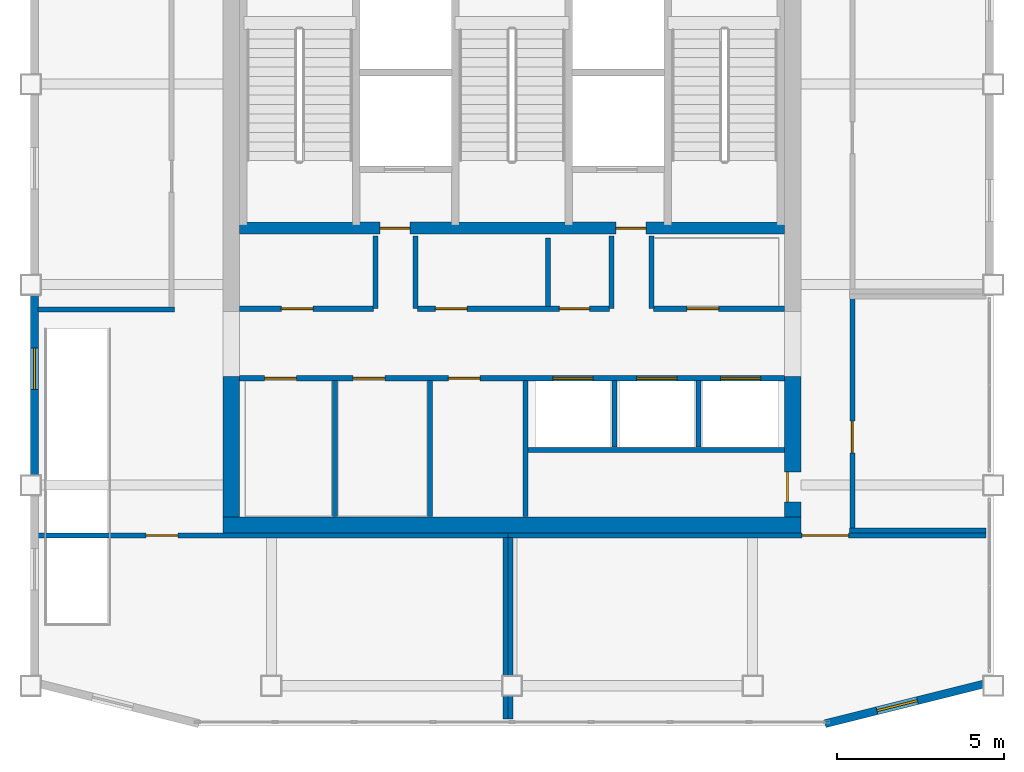
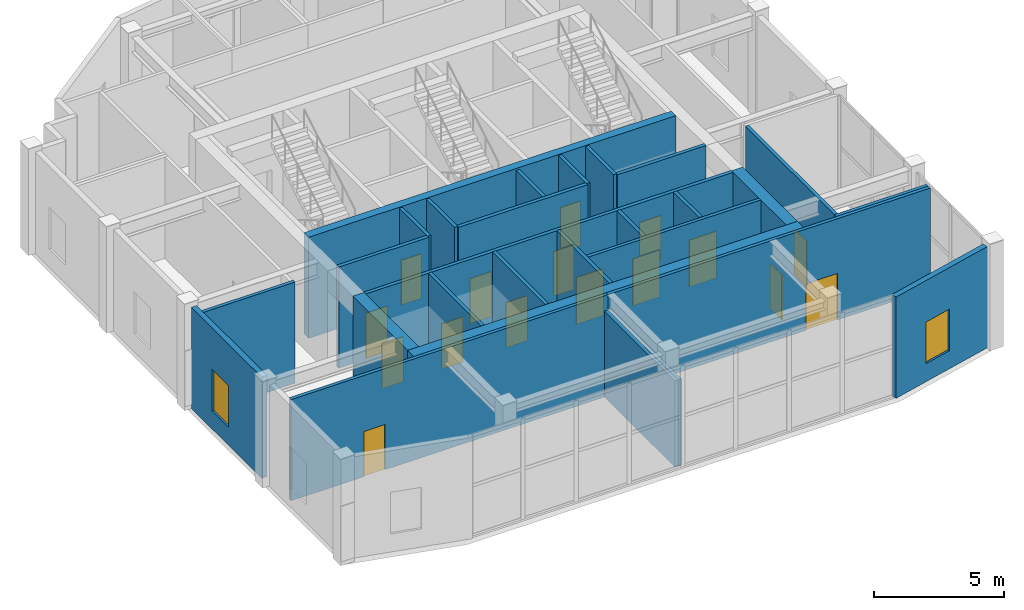
# One storey, part 7 of 11: 28 walls, 16 doors, 2 windows, 18 openings.
"""IFC4 building model written with IfcOpenShell, lengths in metres."""

import ifcopenshell
import ifcopenshell.guid

model = None  # the IFC model being written
_history = None  # IfcOwnerHistory: only IFC2X3 demands one
_inside = {}  # id of a spatial element -> (the spatial element, [elements in it])
_under = {}  # id of a project, library or spatial element -> (it, [spatial elements below it])
_declared = {}  # id of a project -> (the project, [libraries it declares])
_typed = {}  # id of a type object -> (the type object, [elements of that type])
_made_of = {}  # id of a material, layer set ... -> (it, [elements and type objects made of it])


def new_model(schema):
    """Start an empty IFC model of exactly this schema.

    Asked for "IFC4X3", IfcOpenShell would pick the latest addendum, in which some entities
    have other attributes; the version numbers below select the first issue.
    IFC2X3 requires an IfcOwnerHistory on every rooted entity: one is made here for all.
    """
    global model, _history
    if schema == "IFC4X3":
        model = ifcopenshell.file(schema_version=(4, 3, 0, 0))
    else:
        model = ifcopenshell.file(schema=schema)
    _inside.clear()
    _under.clear()
    _declared.clear()
    _typed.clear()
    _made_of.clear()
    _history = None
    if model.schema == "IFC2X3":
        org = make("IfcOrganization", Name="unknown")
        user = make(
            "IfcPersonAndOrganization",
            ThePerson=make("IfcPerson", FamilyName="unknown"),
            TheOrganization=org,
        )
        app = make(
            "IfcApplication",
            ApplicationDeveloper=org,
            Version="unknown",
            ApplicationFullName="unknown",
            ApplicationIdentifier="unknown",
        )
        _history = make(
            "IfcOwnerHistory",
            OwningUser=user,
            OwningApplication=app,
            ChangeAction="ADDED",
            CreationDate=0,
        )
    return model


def make(cls, **values):
    """One entity of the class cls with the attributes given. An attribute that is None is left unset."""
    return model.create_entity(
        cls, **{name: value for name, value in values.items() if value is not None}
    )


def rooted(cls, **values):
    """An entity with a GlobalId (a new one), such as an element, a storey or a relation."""
    return make(cls, GlobalId=ifcopenshell.guid.new(), OwnerHistory=_history, **values)


def si_unit(unit_type, name, prefix=None):
    """IfcSIUnit, for example si_unit("LENGTHUNIT", "METRE", prefix="MILLI")."""
    return make("IfcSIUnit", UnitType=unit_type, Prefix=prefix, Name=name)


def assignment(units):
    """IfcUnitAssignment: the units of a project."""
    return None if units is None else make("IfcUnitAssignment", Units=units)


def point(xyz):
    """IfcCartesianPoint."""
    return None if xyz is None else make("IfcCartesianPoint", Coordinates=xyz)


def direction(xyz):
    """IfcDirection."""
    return None if xyz is None else make("IfcDirection", DirectionRatios=xyz)


def frame(location, z_axis=None, x_axis=None):
    """IfcAxis2Placement3D, a coordinate frame: its origin and axes. An axis left out is left unset."""
    return make(
        "IfcAxis2Placement3D",
        Location=point(location),
        Axis=direction(z_axis),
        RefDirection=direction(x_axis),
    )


def frame_2d(location, x_axis=None):
    """IfcAxis2Placement2D, a coordinate frame in the plane: its origin and x axis."""
    return make(
        "IfcAxis2Placement2D", Location=point(location), RefDirection=direction(x_axis)
    )


def origin():
    """The frame at (0, 0, 0) with its axes left unset."""
    return frame((0.0, 0.0, 0.0))


def place(relative_to, where):
    """IfcLocalPlacement: puts the frame where relative to a parent placement (None: the world)."""
    return make(
        "IfcLocalPlacement", PlacementRelTo=relative_to, RelativePlacement=where
    )


def context(
    kind, dimensions, precision=None, world=None, true_north=None, identifier=None
):
    """IfcGeometricRepresentationContext, for example the 3D "Model" context."""
    return make(
        "IfcGeometricRepresentationContext",
        ContextIdentifier=identifier,
        ContextType=kind,
        CoordinateSpaceDimension=dimensions,
        Precision=precision,
        WorldCoordinateSystem=world,
        TrueNorth=true_north,
    )


def subcontext(parent, identifier, kind, view, scale=None):
    """IfcGeometricRepresentationSubContext, for example "Body" below "Model"."""
    return make(
        "IfcGeometricRepresentationSubContext",
        ContextIdentifier=identifier,
        ContextType=kind,
        ParentContext=parent,
        TargetScale=scale,
        TargetView=view,
    )


def project(units=None, contexts=None):
    """IfcProject with its units and contexts."""
    return rooted(
        "IfcProject",
        Name="project",
        RepresentationContexts=contexts,
        UnitsInContext=assignment(units),
    )


def spatial(cls, under=None, at=None, **own):
    """A site, building, storey or space (cls), placed at a placement, below another one or the project."""
    s = rooted(cls, ObjectPlacement=at, **own)
    if under is not None:
        _under.setdefault(under.id(), (under, []))[1].append(s)
    return s


def profile(cls, at=None, kind="AREA", **sizes):
    """A parametric profile (cls). Its sizes go by their IFC names, for example OverallWidth=200.0."""
    return make(cls, ProfileType=kind, Position=at, **sizes)


def rectangle(**sizes):
    """IfcRectangleProfileDef."""
    return profile("IfcRectangleProfileDef", **sizes)


def extrude(swept, where, along, depth):
    """IfcExtrudedAreaSolid: the profile swept, set in the frame where, extruded along a direction by depth."""
    return make(
        "IfcExtrudedAreaSolid",
        SweptArea=swept,
        Position=where,
        ExtrudedDirection=direction(along),
        Depth=depth,
    )


def shape(context_of_items, identifier, shape_type, items):
    """IfcShapeRepresentation: the items that make up one representation, for example the "Body"."""
    return make(
        "IfcShapeRepresentation",
        ContextOfItems=context_of_items,
        RepresentationIdentifier=identifier,
        RepresentationType=shape_type,
        Items=items,
    )


def material(Name=None, Category=None):
    """IfcMaterial."""
    return make("IfcMaterial", Name=Name, Category=Category)


def layer(
    of_material, thickness, ventilated=None, Name=None, Category=None, Priority=None
):
    """IfcMaterialLayer: one layer of a wall or slab, of a material (None: an air gap)."""
    return make(
        "IfcMaterialLayer",
        Material=of_material,
        LayerThickness=thickness,
        IsVentilated=ventilated,
        Name=Name,
        Category=Category,
        Priority=Priority,
    )


def layer_set(layers, Name=None):
    """IfcMaterialLayerSet."""
    return make("IfcMaterialLayerSet", MaterialLayers=layers, LayerSetName=Name)


def made_of(thing, what):
    """Note that an element or type object is made of a material, layer set ...; save() writes the relation."""
    if what is not None:
        _made_of.setdefault(what.id(), (what, []))[1].append(thing)
    return thing


def type_object(cls, material=None, **own):
    """A type object (cls), such as IfcWallType, which elements share."""
    return made_of(rooted(cls, **own), material)


def element(
    cls,
    number,
    at=None,
    inside=None,
    cuts=None,
    type_object=None,
    material=None,
    context=None,
    identifier="Body",
    shape_type=None,
    held_by="IfcProductDefinitionShape",
    body=None,
    shapes=None,
    **own,
):
    """One element of the class cls, such as IfcWall. Its Tag is "e" and its number.

    at: its placement. inside: the storey or other place that contains it. cuts: it is an
    opening in that element (IfcRelVoidsElement). A single representation is given by context,
    identifier, shape_type and body (its items); several are given by shapes. held_by: the class
    of the entity that holds the representations. save() writes the other relations.
    """
    e = rooted(cls, Tag="e%d" % number, ObjectPlacement=at, **own)
    if body is not None:
        shapes = [shape(context, identifier, shape_type, body)]
    if shapes is not None:
        e.Representation = make(held_by, Representations=shapes)
    if inside is not None:
        _inside.setdefault(inside.id(), (inside, []))[1].append(e)
    if cuts is not None:
        rooted(
            "IfcRelVoidsElement", RelatingBuildingElement=cuts, RelatedOpeningElement=e
        )
    if type_object is not None:
        _typed.setdefault(type_object.id(), (type_object, []))[1].append(e)
    return made_of(e, material)


def fill(opening, filler):
    """IfcRelFillsElement: the door or window that sits in an opening."""
    return rooted(
        "IfcRelFillsElement",
        RelatingOpeningElement=opening,
        RelatedBuildingElement=filler,
    )


def aggregate(whole, parts):
    """IfcRelAggregates: a whole, such as a stair, and the parts it consists of."""
    return rooted("IfcRelAggregates", RelatingObject=whole, RelatedObjects=parts)


def save(model, path):
    """Write the relations noted so far, then the file.

    IfcRelAggregates (storeys below a building ...), IfcRelContainedInSpatialStructure (elements
    in a storey), IfcRelDefinesByType, IfcRelAssociatesMaterial and IfcRelDeclares: one each for
    every whole, place, type object, material and project.
    """
    for whole, parts in _under.values():
        aggregate(whole, parts)
    for where, things in _inside.values():
        rooted(
            "IfcRelContainedInSpatialStructure",
            RelatedElements=things,
            RelatingStructure=where,
        )
    for kind, things in _typed.values():
        rooted("IfcRelDefinesByType", RelatedObjects=things, RelatingType=kind)
    for what, things in _made_of.values():
        rooted("IfcRelAssociatesMaterial", RelatedObjects=things, RelatingMaterial=what)
    for by, libraries in _declared.values():
        rooted("IfcRelDeclares", RelatingContext=by, RelatedDefinitions=libraries)
    model.write(path)


model = new_model("IFC4")

# Units and contexts
model_context = context("Model", 3, precision=1e-05, world=origin(), true_north=direction((0.0, 1.0)))
body_context = subcontext(model_context, "Body", "Model", "MODEL_VIEW")
ifc_project = project(units=[si_unit("LENGTHUNIT", "METRE"), si_unit("AREAUNIT", "SQUARE_METRE"), si_unit("VOLUMEUNIT", "CUBIC_METRE"), si_unit("PLANEANGLEUNIT", "RADIAN"), si_unit("MASSUNIT", "GRAM", prefix="KILO")], contexts=[model_context])

# Site, building, storey
site_placement = place(None, origin())
site = spatial("IfcSite", under=ifc_project, at=site_placement, CompositionType="ELEMENT")
building_placement = place(site_placement, origin())
building = spatial("IfcBuilding", under=site, at=building_placement, Name="Haolan Belvedere Tower", CompositionType="ELEMENT")
storey_placement = place(building_placement, frame((0.0, 0.0, 323.199951171875)))
storey = spatial("IfcBuildingStorey", under=building, at=storey_placement, Name="L81", CompositionType="ELEMENT", Elevation=323.199951171875)

# Walls
ifc_material_1 = material(Name="Concrete C50/60", Category="concrete")
ifc_layer_1 = layer(ifc_material_1, 0.5, Name="Concrete C50/60")
ifc_layer_set_1 = layer_set([ifc_layer_1], Name="Concrete C50/60")
wall_type_1 = type_object("IfcWallType", Name="WL-CORE-500", PredefinedType="SHEAR", material=ifc_layer_set_1)
wall_1_placement = place(storey_placement, frame((29.75, 26.39990234375, 0.0), z_axis=(0.0, 0.0, 1.0), x_axis=(1.0, 0.0, 0.0)))
element("IfcWall", 1, at=wall_1_placement, inside=storey, type_object=wall_type_1, Name="L81 central core south shear wall", PredefinedType="SHEAR", context=body_context, shape_type="SweptSolid", body=[
    extrude(rectangle(XDim=17.300048828125, YDim=0.5, at=frame_2d((8.64990234375, 0.0))), origin(), (0.0, 0.0, 1.0), 4.75),
])
wall_2_placement = place(storey_placement, frame((30.0, 26.64990234375, 0.0), z_axis=(0.0, 0.0, 1.0), x_axis=(0.0, 1.0, 0.0)))
element("IfcWall", 2, at=wall_2_placement, inside=storey, type_object=wall_type_1, Name="L81 central core shear wall WS", PredefinedType="SHEAR", context=body_context, shape_type="SweptSolid", body=[
    extrude(rectangle(XDim=4.2001953125, YDim=0.5, at=frame_2d((2.10009765625, 0.0))), origin(), (0.0, 0.0, 1.0), 4.75),
])

# Wall, opening, door
wall_3_placement = place(storey_placement, frame((46.800048828125, 26.64990234375, 0.0), z_axis=(0.0, 0.0, 1.0), x_axis=(0.0, 1.0, 0.0)))
wall_3 = element("IfcWall", 3, at=wall_3_placement, inside=storey, type_object=wall_type_1, Name="L81 central core shear wall ES", PredefinedType="SHEAR", context=body_context, shape_type="SweptSolid", body=[
    extrude(rectangle(XDim=4.2001953125, YDim=0.5, at=frame_2d((2.10009765625, 0.0))), origin(), (0.0, 0.0, 1.0), 4.75),
])
opening_1_placement = place(wall_3_placement, frame((1.349853515625, 0.0, 0.0), z_axis=(0.0, 0.0, 1.0), x_axis=(-1.0, 0.0, 0.0)))
opening_1 = element("IfcOpeningElement", 4, at=opening_1_placement, cuts=wall_3, Name="Opening FD-05", PredefinedType="OPENING", context=body_context, shape_type="SweptSolid", body=[
    extrude(rectangle(XDim=0.89990234375, YDim=2.10009765625, at=frame_2d((0.449951171875, 1.050048828125))), frame((0.0, 0.260009765625, 0.0), z_axis=(0.0, -1.0, 0.0), x_axis=(1.0, 0.0, 0.0)), (0.0, 0.0, 1.0), 0.52001953125),
])
ifc_material_2 = material(Name="Galvanised fire-rated steel", Category="steel")
door_type_1 = type_object("IfcDoorType", Name="DR-FD60-900", OperationType="NOTDEFINED", PredefinedType="DOOR", material=ifc_material_2)
door_1_placement = place(opening_1_placement, origin())
door_1 = element("IfcDoor", 5, at=door_1_placement, inside=storey, type_object=door_type_1, Name="L81 door CD-L81-SCVE", OperationType="SINGLE_SWING_RIGHT", OverallHeight=2.10009765625, OverallWidth=0.89990234375, PredefinedType="DOOR", context=body_context, shape_type="SweptSolid", body=[
    extrude(rectangle(XDim=0.89990234375, YDim=2.10009765625, at=frame_2d((0.449951171875, 1.050048828125))), frame((0.0, -0.134765625, 0.0), z_axis=(0.0, -1.0, 0.0), x_axis=(1.0, 0.0, 0.0)), (0.0, 0.0, 1.0), 0.050048828125),
])
fill(opening_1, door_1)

# Wall, opening, window
ifc_material_3 = material(Name="Precast concrete C40/50", Category="concrete")
ifc_layer_2 = layer(ifc_material_3, 0.239990234375, Name="Precast concrete C40/50")
ifc_layer_set_2 = layer_set([ifc_layer_2], Name="Precast concrete C40/50")
wall_type_2 = type_object("IfcWallType", Name="WL-EXT-240", PredefinedType="SOLIDWALL", material=ifc_layer_set_2)
wall_4_placement = place(storey_placement, frame((47.766845703125, 20.46533203125, 0.0), z_axis=(0.0, 0.0, 1.0), x_axis=(0.970142500145, 0.242535625036, 0.0)))
wall_4 = element("IfcWall", 6, at=wall_4_placement, inside=storey, type_object=wall_type_2, Name="L81 pale-metal exterior spandrel wall 2.1", PredefinedType="SOLIDWALL", context=body_context, shape_type="SweptSolid", body=[
    extrude(rectangle(XDim=4.88720703125, YDim=0.239990234375, at=frame_2d((2.443603515625, 0.0))), origin(), (0.0, 0.0, 1.0), 4.75),
])
opening_2_placement = place(wall_4_placement, frame((1.60009765625, 0.0, 0.85009765625)))
opening_2 = element("IfcOpeningElement", 7, at=opening_2_placement, cuts=wall_4, Name="Opening W-04", PredefinedType="OPENING", context=body_context, shape_type="SweptSolid", body=[
    extrude(rectangle(XDim=1.25, YDim=1.949951171875, at=frame_2d((0.625, 0.97509765625))), frame((0.0, 0.1298828125, 0.0), z_axis=(0.0, -1.0, 0.0), x_axis=(1.0, 0.0, 0.0)), (0.0, 0.0, 1.0), 0.260009765625),
])
ifc_material_4 = material(Name="Anodised aluminium 6063-T6 and Low-E glass", Category="aluminium")
window_type = type_object("IfcWindowType", Name="WN-DECO-Z4", PartitioningType="SINGLE_PANEL", PredefinedType="WINDOW", material=ifc_material_4)
window_1_placement = place(opening_2_placement, origin())
window_1 = element("IfcWindow", 8, at=window_1_placement, inside=storey, type_object=window_type, Name="L81 Art Deco chevron window 1", OverallHeight=1.949951171875, OverallWidth=1.25, PartitioningType="SINGLE_PANEL", PredefinedType="WINDOW", context=body_context, shape_type="SweptSolid", body=[
    extrude(rectangle(XDim=1.25, YDim=1.949951171875, at=frame_2d((0.625, 0.97509765625))), frame((0.0, 0.030029296875, 0.0), z_axis=(0.0, -1.0, 0.0), x_axis=(1.0, 0.0, 0.0)), (0.0, 0.0, 1.0), 0.06005859375),
])
fill(opening_2, window_1)

wall_5_placement = place(storey_placement, frame((24.1201171875, 33.30810546875, 0.0), z_axis=(0.0, 0.0, 1.0), x_axis=(0.0, -1.0, 0.0)))
wall_5 = element("IfcWall", 9, at=wall_5_placement, inside=storey, type_object=wall_type_2, Name="L81 pale-metal exterior spandrel wall 16.3", PredefinedType="SOLIDWALL", context=body_context, shape_type="SweptSolid", body=[
    extrude(rectangle(XDim=5.416015625, YDim=0.239990234375, at=frame_2d((2.7080078125, 0.0))), origin(), (0.0, 0.0, 1.0), 4.75),
])
opening_3_placement = place(wall_5_placement, frame((1.60009765625, 0.0, 0.85009765625)))
opening_3 = element("IfcOpeningElement", 10, at=opening_3_placement, cuts=wall_5, Name="Opening W-04", PredefinedType="OPENING", context=body_context, shape_type="SweptSolid", body=[
    extrude(rectangle(XDim=1.25, YDim=1.949951171875, at=frame_2d((0.625, 0.97509765625))), frame((0.0, 0.1298828125, 0.0), z_axis=(0.0, -1.0, 0.0), x_axis=(1.0, 0.0, 0.0)), (0.0, 0.0, 1.0), 0.260009765625),
])
window_2_placement = place(opening_3_placement, origin())
window_2 = element("IfcWindow", 11, at=window_2_placement, inside=storey, type_object=window_type, Name="L81 Art Deco chevron window 1", OverallHeight=1.949951171875, OverallWidth=1.25, PartitioningType="SINGLE_PANEL", PredefinedType="WINDOW", context=body_context, shape_type="SweptSolid", body=[
    extrude(rectangle(XDim=1.25, YDim=1.949951171875, at=frame_2d((0.625, 0.97509765625))), frame((0.0, 0.030029296875, 0.0), z_axis=(0.0, -1.0, 0.0), x_axis=(1.0, 0.0, 0.0)), (0.0, 0.0, 1.0), 0.06005859375),
])
fill(opening_3, window_2)

# Walls
ifc_material_5 = material(Name="Double gypsum acoustic stud partition", Category="masonry")
ifc_layer_3 = layer(ifc_material_5, 0.14990234375, Name="Double gypsum acoustic stud partition")
ifc_layer_set_3 = layer_set([ifc_layer_3], Name="Double gypsum acoustic stud partition")
wall_type_3 = type_object("IfcWallType", Name="WL-PART-150", PredefinedType="PARTITIONING", material=ifc_layer_set_3)
for number, where, z_axis, x_axis, name in (
    (12, (33.10009765625, 26.659912109375, 0.0), (0.0, 0.0, 1.0), (0.0, 1.0, 0.0), "L81 interior partition IW-L81-DIV-REUSE-PM1"),
    (13, (35.949951171875, 26.659912109375, 0.0), (0.0, 0.0, 1.0), (0.0, 1.0, 0.0), "L81 interior partition IW-L81-DIV-REUSE-PM2"),
):
    element("IfcWall", number, at=place(storey_placement, frame(where, z_axis=z_axis, x_axis=x_axis)), inside=storey, type_object=wall_type_3, Name=name, PredefinedType="PARTITIONING", context=body_context, shape_type="SweptSolid", body=[
        extrude(rectangle(XDim=4.0751953125, YDim=0.14990234375, at=frame_2d((2.03759765625, 0.0))), origin(), (0.0, 0.0, 1.0), 4.75),
    ])
wall_6_placement = place(storey_placement, frame((38.860107421875, 28.659912109375, 0.0), z_axis=(0.0, 0.0, 1.0), x_axis=(1.0, 0.0, 0.0)))
element("IfcWall", 14, at=wall_6_placement, inside=storey, type_object=wall_type_3, Name="L81 interior partition IW-L81-SSTRIP-E", PredefinedType="PARTITIONING", context=body_context, shape_type="SweptSolid", body=[
    extrude(rectangle(XDim=7.68994140625, YDim=0.14990234375, at=frame_2d((3.844970703125, 0.0))), origin(), (0.0, 0.0, 1.0), 4.75),
])

# Wall, opening, door
wall_7_placement = place(storey_placement, frame((24.22509765625, 26.10009765625, 0.0), z_axis=(0.0, 0.0, 1.0), x_axis=(1.0, 0.0, 0.0)))
wall_7 = element("IfcWall", 15, at=wall_7_placement, inside=storey, type_object=wall_type_3, Name="L81 interior partition IW-L81-OBSW-N", PredefinedType="PARTITIONING", context=body_context, shape_type="SweptSolid", body=[
    extrude(rectangle(XDim=14.054931640625, YDim=0.14990234375, at=frame_2d((7.02734375, 0.0))), origin(), (0.0, 0.0, 1.0), 4.75),
])
opening_4_placement = place(wall_7_placement, frame((4.175048828125, 0.0, 0.0), z_axis=(0.0, 0.0, 1.0), x_axis=(-1.0, 0.0, 0.0)))
opening_4 = element("IfcOpeningElement", 16, at=opening_4_placement, cuts=wall_7, Name="Opening ID-03", PredefinedType="OPENING", context=body_context, shape_type="SweptSolid", body=[
    extrude(rectangle(XDim=0.949951171875, YDim=2.1201171875, at=frame_2d((0.47509765625, 1.06005859375))), frame((0.0, 0.0849609375, 0.0), z_axis=(0.0, -1.0, 0.0), x_axis=(1.0, 0.0, 0.0)), (0.0, 0.0, 1.0), 0.169921875),
])
ifc_material_6 = material(Name="Painted solid-core timber", Category="wood")
door_type_2 = type_object("IfcDoorType", Name="DR-INT-950", OperationType="NOTDEFINED", PredefinedType="DOOR", material=ifc_material_6)
door_2_placement = place(opening_4_placement, origin())
door_2 = element("IfcDoor", 17, at=door_2_placement, inside=storey, type_object=door_type_2, Name="L81 door ID-L81-OBSW", OperationType="SINGLE_SWING_LEFT", OverallHeight=2.1201171875, OverallWidth=0.949951171875, PredefinedType="DOOR", context=body_context, shape_type="SweptSolid", body=[
    extrude(rectangle(XDim=0.949951171875, YDim=2.1201171875, at=frame_2d((0.47509765625, 1.06005859375))), frame((0.0, 0.02490234375, 0.0), z_axis=(0.0, -1.0, 0.0), x_axis=(1.0, 0.0, 0.0)), (0.0, 0.0, 1.0), 0.050048828125),
])
fill(opening_4, door_2)

# Wall
wall_8_placement = place(storey_placement, frame((38.199951171875, 20.612060546875, 0.0), z_axis=(0.0, 0.0, 1.0), x_axis=(0.0, 1.0, 0.0)))
element("IfcWall", 18, at=wall_8_placement, inside=storey, type_object=wall_type_3, Name="L81 interior partition IW-L81-OBSW-E", PredefinedType="PARTITIONING", context=body_context, shape_type="SweptSolid", body=[
    extrude(rectangle(XDim=5.427978515625, YDim=0.14990234375, at=frame_2d((2.7138671875, 0.0))), origin(), (0.0, 0.0, 1.0), 4.03515625),
])

# Wall, opening, door
wall_9_placement = place(storey_placement, frame((38.281982421875, 26.10009765625, 0.0), z_axis=(0.0, 0.0, 1.0), x_axis=(1.0, 0.0, 0.0)))
wall_9 = element("IfcWall", 19, at=wall_9_placement, inside=storey, type_object=wall_type_3, Name="L81 interior partition IW-L81-OBSE-N", PredefinedType="PARTITIONING", context=body_context, shape_type="SweptSolid", body=[
    extrude(rectangle(XDim=14.305908203125, YDim=0.14990234375, at=frame_2d((7.15283203125, 0.0))), origin(), (0.0, 0.0, 1.0), 4.75),
])
opening_5_placement = place(wall_9_placement, frame((10.190185546875, 0.0, 0.0), z_axis=(0.0, 0.0, 1.0), x_axis=(-1.0, 0.0, 0.0)))
opening_5 = element("IfcOpeningElement", 20, at=opening_5_placement, cuts=wall_9, Name="Opening ID-07", PredefinedType="OPENING", context=body_context, shape_type="SweptSolid", body=[
    extrude(rectangle(XDim=1.39990234375, YDim=2.179931640625, at=frame_2d((0.699951171875, 1.08984375))), frame((0.0, 0.0849609375, 0.0), z_axis=(0.0, -1.0, 0.0), x_axis=(1.0, 0.0, 0.0)), (0.0, 0.0, 1.0), 0.169921875),
])
ifc_material_7 = material(Name="Anodised champagne aluminium and acoustic glass", Category="aluminium")
door_type_3 = type_object("IfcDoorType", Name="DR-DBL-1400", OperationType="DOUBLE_DOOR_SINGLE_SWING", PredefinedType="DOOR", material=ifc_material_7)
door_3_placement = place(opening_5_placement, origin())
door_3 = element("IfcDoor", 21, at=door_3_placement, inside=storey, type_object=door_type_3, Name="L81 door ID-L81-OBSE", OperationType="DOUBLE_DOOR_SINGLE_SWING", OverallHeight=2.179931640625, OverallWidth=1.39990234375, PredefinedType="DOOR", context=body_context, shape_type="SweptSolid", body=[
    extrude(rectangle(XDim=1.39990234375, YDim=2.179931640625, at=frame_2d((0.699951171875, 1.08984375))), frame((0.0, 0.02490234375, 0.0), z_axis=(0.0, -1.0, 0.0), x_axis=(1.0, 0.0, 0.0)), (0.0, 0.0, 1.0), 0.050048828125),
])
fill(opening_5, door_3)

# Walls
wall_10_placement = place(storey_placement, frame((38.360107421875, 20.612060546875, 0.0), z_axis=(0.0, 0.0, 1.0), x_axis=(0.0, 1.0, 0.0)))
element("IfcWall", 22, at=wall_10_placement, inside=storey, type_object=wall_type_3, Name="L81 interior partition IW-L81-OBSE-W", PredefinedType="PARTITIONING", context=body_context, shape_type="SweptSolid", body=[
    extrude(rectangle(XDim=5.427978515625, YDim=0.14990234375, at=frame_2d((2.7138671875, 0.0))), origin(), (0.0, 0.0, 1.0), 4.03515625),
])
wall_11_placement = place(storey_placement, frame((24.22509765625, 32.85009765625, 0.0), z_axis=(0.0, 0.0, 1.0), x_axis=(1.0, 0.0, 0.0)))
element("IfcWall", 23, at=wall_11_placement, inside=storey, type_object=wall_type_3, Name="L81 interior partition IW-L81-CBAR-S", PredefinedType="PARTITIONING", context=body_context, shape_type="SweptSolid", body=[
    extrude(rectangle(XDim=4.074951171875, YDim=0.14990234375, at=frame_2d((2.03759765625, 0.0))), origin(), (0.0, 0.0, 1.0), 4.75),
])
wall_12_placement = place(storey_placement, frame((48.5, 26.25, 0.0), z_axis=(0.0, 0.0, 1.0), x_axis=(1.0, 0.0, 0.0)))
element("IfcWall", 24, at=wall_12_placement, inside=storey, type_object=wall_type_3, Name="L81 interior partition IW-L81-BRD81-S", PredefinedType="PARTITIONING", context=body_context, shape_type="SweptSolid", body=[
    extrude(rectangle(XDim=4.087890625, YDim=0.14990234375, at=frame_2d((2.0439453125, 0.0))), origin(), (0.0, 0.0, 1.0), 4.75),
])

# Wall, opening, door
wall_13_placement = place(storey_placement, frame((48.580078125, 26.31005859375, 0.0), z_axis=(0.0, 0.0, 1.0), x_axis=(0.0, 1.0, 0.0)))
wall_13 = element("IfcWall", 25, at=wall_13_placement, inside=storey, type_object=wall_type_3, Name="L81 interior partition IW-L81-BRD81-W", PredefinedType="PARTITIONING", context=body_context, shape_type="SweptSolid", body=[
    extrude(rectangle(XDim=6.869873046875, YDim=0.14990234375, at=frame_2d((3.43505859375, 0.0))), origin(), (0.0, 0.0, 1.0), 4.75),
])
opening_6_placement = place(wall_13_placement, frame((2.260009765625, 0.0, 0.0)))
opening_6 = element("IfcOpeningElement", 26, at=opening_6_placement, cuts=wall_13, Name="Opening ID-03", PredefinedType="OPENING", context=body_context, shape_type="SweptSolid", body=[
    extrude(rectangle(XDim=0.949951171875, YDim=2.1201171875, at=frame_2d((0.47509765625, 1.06005859375))), frame((0.0, 0.0849609375, 0.0), z_axis=(0.0, -1.0, 0.0), x_axis=(1.0, 0.0, 0.0)), (0.0, 0.0, 1.0), 0.169921875),
])
door_4_placement = place(opening_6_placement, origin())
door_4 = element("IfcDoor", 27, at=door_4_placement, inside=storey, type_object=door_type_2, Name="L81 door ID-L81-BRD81", OperationType="SINGLE_SWING_LEFT", OverallHeight=2.1201171875, OverallWidth=0.949951171875, PredefinedType="DOOR", context=body_context, shape_type="SweptSolid", body=[
    extrude(rectangle(XDim=0.949951171875, YDim=2.1201171875, at=frame_2d((0.47509765625, 1.06005859375))), frame((0.0, 0.02490234375, 0.0), z_axis=(0.0, -1.0, 0.0), x_axis=(1.0, 0.0, 0.0)), (0.0, 0.0, 1.0), 0.050048828125),
])
fill(opening_6, door_4)

# Walls
ifc_material_8 = material(Name="Gypsum fire shaftwall assembly", Category="masonry")
ifc_layer_4 = layer(ifc_material_8, 0.1650390625, Name="Gypsum fire shaftwall assembly")
ifc_layer_set_4 = layer_set([ifc_layer_4], Name="Gypsum fire shaftwall assembly")
wall_type_4 = type_object("IfcWallType", Name="WL-SHAFT-160", PredefinedType="SOLIDWALL", material=ifc_layer_set_4)
for number, where, z_axis, x_axis, name in (
    (28, (34.31005859375, 32.8798828125, 0.0), (0.0, 0.0, 1.0), (0.0, 1.0, 0.0), "L81 interior partition IW-L81-SVP-W-SV1"),
    (29, (35.510009765625, 32.8798828125, 0.0), (0.0, 0.0, 1.0), (0.0, 1.0, 0.0), "L81 interior partition IW-L81-SVP-E-SV1"),
    (30, (41.3701171875, 32.8798828125, 0.0), (0.0, 0.0, 1.0), (0.0, 1.0, 0.0), "L81 interior partition IW-L81-SVP-W-SV2"),
    (31, (42.570068359375, 32.8798828125, 0.0), (0.0, 0.0, 1.0), (0.0, 1.0, 0.0), "L81 interior partition IW-L81-SVP-E-SV2"),
):
    element("IfcWall", number, at=place(storey_placement, frame(where, z_axis=z_axis, x_axis=x_axis)), inside=storey, type_object=wall_type_4, Name=name, PredefinedType="SOLIDWALL", context=body_context, shape_type="SweptSolid", body=[
        extrude(rectangle(XDim=2.170166015625, YDim=0.14990234375, at=frame_2d((1.0849609375, 0.0))), origin(), (0.0, 0.0, 1.0), 4.75),
    ])

# Wall, opening, door
wall_14_placement = place(storey_placement, frame((30.25, 32.8798828125, 0.0), z_axis=(0.0, 0.0, 1.0), x_axis=(1.0, 0.0, 0.0)))
wall_14 = element("IfcWall", 32, at=wall_14_placement, inside=storey, type_object=wall_type_4, Name="L81 interior partition IW-L81-ROW-PN1", PredefinedType="SOLIDWALL", context=body_context, shape_type="SweptSolid", body=[
    extrude(rectangle(XDim=4.0, YDim=0.159912109375, at=frame_2d((2.0, 0.0))), origin(), (0.0, 0.0, 1.0), 4.75),
])
opening_7_placement = place(wall_14_placement, frame((2.199951171875, 0.0, 0.0), z_axis=(0.0, 0.0, 1.0), x_axis=(-1.0, 0.0, 0.0)))
opening_7 = element("IfcOpeningElement", 33, at=opening_7_placement, cuts=wall_14, Name="Opening ID-03", PredefinedType="OPENING", context=body_context, shape_type="SweptSolid", body=[
    extrude(rectangle(XDim=0.949951171875, YDim=2.1201171875, at=frame_2d((0.47509765625, 1.06005859375))), frame((0.0, 0.08984375, 0.0), z_axis=(0.0, -1.0, 0.0), x_axis=(1.0, 0.0, 0.0)), (0.0, 0.0, 1.0), 0.179931640625),
])
door_5_placement = place(opening_7_placement, origin())
door_5 = element("IfcDoor", 34, at=door_5_placement, inside=storey, type_object=door_type_2, Name="L81 door ID-L81-CD-RPLW", OperationType="SINGLE_SWING_LEFT", OverallHeight=2.1201171875, OverallWidth=0.949951171875, PredefinedType="DOOR", context=body_context, shape_type="SweptSolid", body=[
    extrude(rectangle(XDim=0.949951171875, YDim=2.1201171875, at=frame_2d((0.47509765625, 1.06005859375))), frame((0.0, 0.02490234375, 0.0), z_axis=(0.0, -1.0, 0.0), x_axis=(1.0, 0.0, 0.0)), (0.0, 0.0, 1.0), 0.050048828125),
])
fill(opening_7, door_5)

# Wall, openings, doors
wall_15_placement = place(storey_placement, frame((35.570068359375, 32.8798828125, 0.0), z_axis=(0.0, 0.0, 1.0), x_axis=(1.0, 0.0, 0.0)))
wall_15 = element("IfcWall", 35, at=wall_15_placement, inside=storey, type_object=wall_type_4, Name="L81 interior partition IW-L81-ROW-PN2", PredefinedType="SOLIDWALL", context=body_context, shape_type="SweptSolid", body=[
    extrude(rectangle(XDim=5.739990234375, YDim=0.159912109375, at=frame_2d((2.8701171875, 0.0))), origin(), (0.0, 0.0, 1.0), 4.75),
])
opening_8_placement = place(wall_15_placement, frame((1.489990234375, 0.0, 0.0), z_axis=(0.0, 0.0, 1.0), x_axis=(-1.0, 0.0, 0.0)))
opening_8 = element("IfcOpeningElement", 36, at=opening_8_placement, cuts=wall_15, Name="Opening ID-03", PredefinedType="OPENING", context=body_context, shape_type="SweptSolid", body=[
    extrude(rectangle(XDim=0.949951171875, YDim=2.1201171875, at=frame_2d((0.47509765625, 1.06005859375))), frame((0.0, 0.08984375, 0.0), z_axis=(0.0, -1.0, 0.0), x_axis=(1.0, 0.0, 0.0)), (0.0, 0.0, 1.0), 0.179931640625),
])
opening_9_placement = place(wall_15_placement, frame((5.14990234375, 0.0, 0.0), z_axis=(0.0, 0.0, 1.0), x_axis=(-1.0, 0.0, 0.0)))
opening_9 = element("IfcOpeningElement", 37, at=opening_9_placement, cuts=wall_15, Name="Opening FD-05", PredefinedType="OPENING", context=body_context, shape_type="SweptSolid", body=[
    extrude(rectangle(XDim=0.89990234375, YDim=2.10009765625, at=frame_2d((0.449951171875, 1.050048828125))), frame((0.0, 0.08984375, 0.0), z_axis=(0.0, -1.0, 0.0), x_axis=(1.0, 0.0, 0.0)), (0.0, 0.0, 1.0), 0.179931640625),
])
door_6_placement = place(opening_9_placement, origin())
door_6 = element("IfcDoor", 38, at=door_6_placement, inside=storey, type_object=door_type_1, Name="L81 door ID-L81-CD-RPH1", OperationType="SINGLE_SWING_RIGHT", OverallHeight=2.10009765625, OverallWidth=0.89990234375, PredefinedType="DOOR", context=body_context, shape_type="SweptSolid", body=[
    extrude(rectangle(XDim=0.89990234375, YDim=2.10009765625, at=frame_2d((0.449951171875, 1.050048828125))), frame((0.0, 0.02490234375, 0.0), z_axis=(0.0, -1.0, 0.0), x_axis=(1.0, 0.0, 0.0)), (0.0, 0.0, 1.0), 0.050048828125),
])
fill(opening_9, door_6)
door_7_placement = place(opening_8_placement, origin())
door_7 = element("IfcDoor", 39, at=door_7_placement, inside=storey, type_object=door_type_2, Name="L81 door ID-L81-CD-RPLE", OperationType="SINGLE_SWING_RIGHT", OverallHeight=2.1201171875, OverallWidth=0.949951171875, PredefinedType="DOOR", context=body_context, shape_type="SweptSolid", body=[
    extrude(rectangle(XDim=0.949951171875, YDim=2.1201171875, at=frame_2d((0.47509765625, 1.06005859375))), frame((0.0, 0.02490234375, 0.0), z_axis=(0.0, -1.0, 0.0), x_axis=(1.0, 0.0, 0.0)), (0.0, 0.0, 1.0), 0.050048828125),
])
fill(opening_8, door_7)

# Wall, opening, door
wall_16_placement = place(storey_placement, frame((42.6298828125, 32.8798828125, 0.0), z_axis=(0.0, 0.0, 1.0), x_axis=(1.0, 0.0, 0.0)))
wall_16 = element("IfcWall", 40, at=wall_16_placement, inside=storey, type_object=wall_type_4, Name="L81 interior partition IW-L81-ROW-PN3", PredefinedType="SOLIDWALL", context=body_context, shape_type="SweptSolid", body=[
    extrude(rectangle(XDim=3.920166015625, YDim=0.159912109375, at=frame_2d((1.9599609375, 0.0))), origin(), (0.0, 0.0, 1.0), 4.75),
])
opening_10_placement = place(wall_16_placement, frame((1.949951171875, 0.0, 0.0), z_axis=(0.0, 0.0, 1.0), x_axis=(-1.0, 0.0, 0.0)))
opening_10 = element("IfcOpeningElement", 41, at=opening_10_placement, cuts=wall_16, Name="Opening ID-03", PredefinedType="OPENING", context=body_context, shape_type="SweptSolid", body=[
    extrude(rectangle(XDim=0.949951171875, YDim=2.1201171875, at=frame_2d((0.47509765625, 1.06005859375))), frame((0.0, 0.08984375, 0.0), z_axis=(0.0, -1.0, 0.0), x_axis=(1.0, 0.0, 0.0)), (0.0, 0.0, 1.0), 0.179931640625),
])
door_8_placement = place(opening_10_placement, origin())
door_8 = element("IfcDoor", 42, at=door_8_placement, inside=storey, type_object=door_type_2, Name="L81 door ID-L81-CD-RPH23", OperationType="SINGLE_SWING_LEFT", OverallHeight=2.1201171875, OverallWidth=0.949951171875, PredefinedType="DOOR", context=body_context, shape_type="SweptSolid", body=[
    extrude(rectangle(XDim=0.949951171875, YDim=2.1201171875, at=frame_2d((0.47509765625, 1.06005859375))), frame((0.0, 0.02490234375, 0.0), z_axis=(0.0, -1.0, 0.0), x_axis=(1.0, 0.0, 0.0)), (0.0, 0.0, 1.0), 0.050048828125),
])
fill(opening_10, door_8)

# Wall
wall_17_placement = place(storey_placement, frame((39.469970703125, 32.949951171875, 0.0), z_axis=(0.0, 0.0, 1.0), x_axis=(0.0, 1.0, 0.0)))
element("IfcWall", 43, at=wall_17_placement, inside=storey, type_object=wall_type_4, Name="L81 interior partition IW-L81-DIV-PL4R", PredefinedType="SOLIDWALL", context=body_context, shape_type="SweptSolid", body=[
    extrude(rectangle(XDim=2.050048828125, YDim=0.14990234375, at=frame_2d((1.02490234375, 0.0))), origin(), (0.0, 0.0, 1.0), 4.75),
])

# Wall, openings, doors
wall_18_placement = place(storey_placement, frame((30.25, 30.800048828125, 0.0), z_axis=(0.0, 0.0, 1.0), x_axis=(1.0, 0.0, 0.0)))
wall_18 = element("IfcWall", 44, at=wall_18_placement, inside=storey, type_object=wall_type_4, Name="L81 interior partition IW-L81-ROW-PS", PredefinedType="SOLIDWALL", context=body_context, shape_type="SweptSolid", body=[
    extrude(rectangle(XDim=16.300048828125, YDim=0.159912109375, at=frame_2d((8.14990234375, 0.0))), origin(), (0.0, 0.0, 1.0), 4.75),
])
opening_11_placement = place(wall_18_placement, frame((0.75, 0.0, 0.0)))
opening_11 = element("IfcOpeningElement", 45, at=opening_11_placement, cuts=wall_18, Name="Opening ID-03", PredefinedType="OPENING", context=body_context, shape_type="SweptSolid", body=[
    extrude(rectangle(XDim=0.949951171875, YDim=2.1201171875, at=frame_2d((0.47509765625, 1.06005859375))), frame((0.0, 0.08984375, 0.0), z_axis=(0.0, -1.0, 0.0), x_axis=(1.0, 0.0, 0.0)), (0.0, 0.0, 1.0), 0.179931640625),
])
opening_12_placement = place(wall_18_placement, frame((3.39990234375, 0.0, 0.0)))
opening_12 = element("IfcOpeningElement", 46, at=opening_12_placement, cuts=wall_18, Name="Opening ID-03", PredefinedType="OPENING", context=body_context, shape_type="SweptSolid", body=[
    extrude(rectangle(XDim=0.949951171875, YDim=2.1201171875, at=frame_2d((0.47509765625, 1.06005859375))), frame((0.0, 0.08984375, 0.0), z_axis=(0.0, -1.0, 0.0), x_axis=(1.0, 0.0, 0.0)), (0.0, 0.0, 1.0), 0.179931640625),
])
opening_13_placement = place(wall_18_placement, frame((6.25, 0.0, 0.0)))
opening_13 = element("IfcOpeningElement", 47, at=opening_13_placement, cuts=wall_18, Name="Opening ID-03", PredefinedType="OPENING", context=body_context, shape_type="SweptSolid", body=[
    extrude(rectangle(XDim=0.949951171875, YDim=2.1201171875, at=frame_2d((0.47509765625, 1.06005859375))), frame((0.0, 0.08984375, 0.0), z_axis=(0.0, -1.0, 0.0), x_axis=(1.0, 0.0, 0.0)), (0.0, 0.0, 1.0), 0.179931640625),
])
opening_14_placement = place(wall_18_placement, frame((9.3701171875, 0.0, 0.0)))
opening_14 = element("IfcOpeningElement", 48, at=opening_14_placement, cuts=wall_18, Name="Opening LD-02", PredefinedType="OPENING", context=body_context, shape_type="SweptSolid", body=[
    extrude(rectangle(XDim=1.199951171875, YDim=2.199951171875, at=frame_2d((0.60009765625, 1.10009765625))), frame((0.0, 0.08984375, 0.0), z_axis=(0.0, -1.0, 0.0), x_axis=(1.0, 0.0, 0.0)), (0.0, 0.0, 1.0), 0.179931640625),
])
opening_15_placement = place(wall_18_placement, frame((11.8798828125, 0.0, 0.0)))
opening_15 = element("IfcOpeningElement", 49, at=opening_15_placement, cuts=wall_18, Name="Opening LD-02", PredefinedType="OPENING", context=body_context, shape_type="SweptSolid", body=[
    extrude(rectangle(XDim=1.199951171875, YDim=2.199951171875, at=frame_2d((0.60009765625, 1.10009765625))), frame((0.0, 0.08984375, 0.0), z_axis=(0.0, -1.0, 0.0), x_axis=(1.0, 0.0, 0.0)), (0.0, 0.0, 1.0), 0.179931640625),
])
opening_16_placement = place(wall_18_placement, frame((14.389892578125, 0.0, 0.0)))
opening_16 = element("IfcOpeningElement", 50, at=opening_16_placement, cuts=wall_18, Name="Opening LD-02", PredefinedType="OPENING", context=body_context, shape_type="SweptSolid", body=[
    extrude(rectangle(XDim=1.199951171875, YDim=2.199951171875, at=frame_2d((0.60009765625, 1.10009765625))), frame((0.0, 0.08984375, 0.0), z_axis=(0.0, -1.0, 0.0), x_axis=(1.0, 0.0, 0.0)), (0.0, 0.0, 1.0), 0.179931640625),
])
door_9_placement = place(opening_11_placement, origin())
door_9 = element("IfcDoor", 51, at=door_9_placement, inside=storey, type_object=door_type_2, Name="L81 door ID-L81-CD-RPMA", OperationType="SINGLE_SWING_LEFT", OverallHeight=2.1201171875, OverallWidth=0.949951171875, PredefinedType="DOOR", context=body_context, shape_type="SweptSolid", body=[
    extrude(rectangle(XDim=0.949951171875, YDim=2.1201171875, at=frame_2d((0.47509765625, 1.06005859375))), frame((0.0, 0.02490234375, 0.0), z_axis=(0.0, -1.0, 0.0), x_axis=(1.0, 0.0, 0.0)), (0.0, 0.0, 1.0), 0.050048828125),
])
fill(opening_11, door_9)
door_10_placement = place(opening_12_placement, origin())
door_10 = element("IfcDoor", 52, at=door_10_placement, inside=storey, type_object=door_type_2, Name="L81 door ID-L81-CD-RPMB", OperationType="SINGLE_SWING_RIGHT", OverallHeight=2.1201171875, OverallWidth=0.949951171875, PredefinedType="DOOR", context=body_context, shape_type="SweptSolid", body=[
    extrude(rectangle(XDim=0.949951171875, YDim=2.1201171875, at=frame_2d((0.47509765625, 1.06005859375))), frame((0.0, 0.02490234375, 0.0), z_axis=(0.0, -1.0, 0.0), x_axis=(1.0, 0.0, 0.0)), (0.0, 0.0, 1.0), 0.050048828125),
])
fill(opening_12, door_10)
door_11_placement = place(opening_13_placement, origin())
door_11 = element("IfcDoor", 53, at=door_11_placement, inside=storey, type_object=door_type_2, Name="L81 door ID-L81-CD-RPMC", OperationType="SINGLE_SWING_LEFT", OverallHeight=2.1201171875, OverallWidth=0.949951171875, PredefinedType="DOOR", context=body_context, shape_type="SweptSolid", body=[
    extrude(rectangle(XDim=0.949951171875, YDim=2.1201171875, at=frame_2d((0.47509765625, 1.06005859375))), frame((0.0, 0.02490234375, 0.0), z_axis=(0.0, -1.0, 0.0), x_axis=(1.0, 0.0, 0.0)), (0.0, 0.0, 1.0), 0.050048828125),
])
fill(opening_13, door_11)
ifc_material_9 = material(Name="Brushed champagne stainless steel 316L", Category="steel")
door_type_4 = type_object("IfcDoorType", Name="DR-LIFT-1200", OperationType="SLIDING_TO_RIGHT", PredefinedType="DOOR", material=ifc_material_9)
door_12_placement = place(opening_14_placement, origin())
door_12 = element("IfcDoor", 54, at=door_12_placement, inside=storey, type_object=door_type_4, Name="L81 door ID-L81-LD-OB1", OperationType="SLIDING_TO_RIGHT", OverallHeight=2.199951171875, OverallWidth=1.199951171875, PredefinedType="DOOR", context=body_context, shape_type="SweptSolid", body=[
    extrude(rectangle(XDim=1.199951171875, YDim=2.199951171875, at=frame_2d((0.60009765625, 1.10009765625))), frame((0.0, 0.02490234375, 0.0), z_axis=(0.0, -1.0, 0.0), x_axis=(1.0, 0.0, 0.0)), (0.0, 0.0, 1.0), 0.050048828125),
])
fill(opening_14, door_12)
door_13_placement = place(opening_15_placement, origin())
door_13 = element("IfcDoor", 55, at=door_13_placement, inside=storey, type_object=door_type_4, Name="L81 door ID-L81-LD-OB2", OperationType="SLIDING_TO_RIGHT", OverallHeight=2.199951171875, OverallWidth=1.199951171875, PredefinedType="DOOR", context=body_context, shape_type="SweptSolid", body=[
    extrude(rectangle(XDim=1.199951171875, YDim=2.199951171875, at=frame_2d((0.60009765625, 1.10009765625))), frame((0.0, 0.02490234375, 0.0), z_axis=(0.0, -1.0, 0.0), x_axis=(1.0, 0.0, 0.0)), (0.0, 0.0, 1.0), 0.050048828125),
])
fill(opening_15, door_13)
door_14_placement = place(opening_16_placement, origin())
door_14 = element("IfcDoor", 56, at=door_14_placement, inside=storey, type_object=door_type_4, Name="L81 door ID-L81-LD-OB3", OperationType="SLIDING_TO_RIGHT", OverallHeight=2.199951171875, OverallWidth=1.199951171875, PredefinedType="DOOR", context=body_context, shape_type="SweptSolid", body=[
    extrude(rectangle(XDim=1.199951171875, YDim=2.199951171875, at=frame_2d((0.60009765625, 1.10009765625))), frame((0.0, 0.02490234375, 0.0), z_axis=(0.0, -1.0, 0.0), x_axis=(1.0, 0.0, 0.0)), (0.0, 0.0, 1.0), 0.050048828125),
])
fill(opening_16, door_14)

# Walls
wall_19_placement = place(storey_placement, frame((38.800048828125, 26.659912109375, 0.0), z_axis=(0.0, 0.0, 1.0), x_axis=(0.0, 1.0, 0.0)))
element("IfcWall", 57, at=wall_19_placement, inside=storey, type_object=wall_type_4, Name="L81 interior partition IW-L81-DIV-PM-OB", PredefinedType="SOLIDWALL", context=body_context, shape_type="SweptSolid", body=[
    extrude(rectangle(XDim=4.0751953125, YDim=0.14990234375, at=frame_2d((2.03759765625, 0.0))), origin(), (0.0, 0.0, 1.0), 4.75),
])
for number, where, z_axis, x_axis, name in (
    (58, (41.469970703125, 28.75, 0.0), (0.0, 0.0, 1.0), (0.0, 1.0, 0.0), "L81 interior partition IW-L81-DIV-OB1"),
    (59, (43.97998046875, 28.75, 0.0), (0.0, 0.0, 1.0), (0.0, 1.0, 0.0), "L81 interior partition IW-L81-DIV-OB2"),
):
    element("IfcWall", number, at=place(storey_placement, frame(where, z_axis=z_axis, x_axis=x_axis)), inside=storey, type_object=wall_type_4, Name=name, PredefinedType="SOLIDWALL", context=body_context, shape_type="SweptSolid", body=[
        extrude(rectangle(XDim=1.985107421875, YDim=0.14990234375, at=frame_2d((0.99267578125, 0.0))), origin(), (0.0, 0.0, 1.0), 4.75),
    ])

# Wall, openings, doors
ifc_material_10 = material(Name="Concrete C60/75", Category="concrete")
ifc_layer_5 = layer(ifc_material_10, 0.360107421875, Name="Concrete C60/75")
ifc_layer_set_5 = layer_set([ifc_layer_5], Name="Concrete C60/75")
wall_type_5 = type_object("IfcWallType", Name="WL-WEB-350", PredefinedType="SHEAR", material=ifc_layer_set_5)
wall_20_placement = place(storey_placement, frame((30.25, 35.2900390625, 0.0), z_axis=(0.0, 0.0, 1.0), x_axis=(1.0, 0.0, 0.0)))
wall_20 = element("IfcWall", 60, at=wall_20_placement, inside=storey, type_object=wall_type_5, Name="L81 central core internal shear web", PredefinedType="SHEAR", context=body_context, shape_type="SweptSolid", body=[
    extrude(rectangle(XDim=16.300048828125, YDim=0.360107421875, at=frame_2d((8.14990234375, 0.0))), origin(), (0.0, 0.0, 1.0), 4.75),
])
opening_17_placement = place(wall_20_placement, frame((5.099853515625, 0.0, 0.0), z_axis=(0.0, 0.0, 1.0), x_axis=(-1.0, 0.0, 0.0)))
opening_17 = element("IfcOpeningElement", 61, at=opening_17_placement, cuts=wall_20, Name="Opening FD-05", PredefinedType="OPENING", context=body_context, shape_type="SweptSolid", body=[
    extrude(rectangle(XDim=0.89990234375, YDim=2.10009765625, at=frame_2d((0.449951171875, 1.050048828125))), frame((0.0, 0.18994140625, 0.0), z_axis=(0.0, -1.0, 0.0), x_axis=(1.0, 0.0, 0.0)), (0.0, 0.0, 1.0), 0.380126953125),
])
opening_18_placement = place(wall_20_placement, frame((12.159912109375, 0.0, 0.0), z_axis=(0.0, 0.0, 1.0), x_axis=(-1.0, 0.0, 0.0)))
opening_18 = element("IfcOpeningElement", 62, at=opening_18_placement, cuts=wall_20, Name="Opening FD-05", PredefinedType="OPENING", context=body_context, shape_type="SweptSolid", body=[
    extrude(rectangle(XDim=0.89990234375, YDim=2.10009765625, at=frame_2d((0.449951171875, 1.050048828125))), frame((0.0, 0.18994140625, 0.0), z_axis=(0.0, -1.0, 0.0), x_axis=(1.0, 0.0, 0.0)), (0.0, 0.0, 1.0), 0.380126953125),
])
door_15_placement = place(opening_17_placement, origin())
door_15 = element("IfcDoor", 63, at=door_15_placement, inside=storey, type_object=door_type_1, Name="L81 door CD-L81-SVL-SV1", OperationType="SINGLE_SWING_RIGHT", OverallHeight=2.10009765625, OverallWidth=0.89990234375, PredefinedType="DOOR", context=body_context, shape_type="SweptSolid", body=[
    extrude(rectangle(XDim=0.89990234375, YDim=2.10009765625, at=frame_2d((0.449951171875, 1.050048828125))), frame((0.0, 0.02490234375, 0.0), z_axis=(0.0, -1.0, 0.0), x_axis=(1.0, 0.0, 0.0)), (0.0, 0.0, 1.0), 0.050048828125),
])
fill(opening_17, door_15)
door_16_placement = place(opening_18_placement, origin())
door_16 = element("IfcDoor", 64, at=door_16_placement, inside=storey, type_object=door_type_1, Name="L81 door CD-L81-SVL-SV2", OperationType="SINGLE_SWING_RIGHT", OverallHeight=2.10009765625, OverallWidth=0.89990234375, PredefinedType="DOOR", context=body_context, shape_type="SweptSolid", body=[
    extrude(rectangle(XDim=0.89990234375, YDim=2.10009765625, at=frame_2d((0.449951171875, 1.050048828125))), frame((0.0, 0.02490234375, 0.0), z_axis=(0.0, -1.0, 0.0), x_axis=(1.0, 0.0, 0.0)), (0.0, 0.0, 1.0), 0.050048828125),
])
fill(opening_18, door_16)

save(model, "model.ifc")
